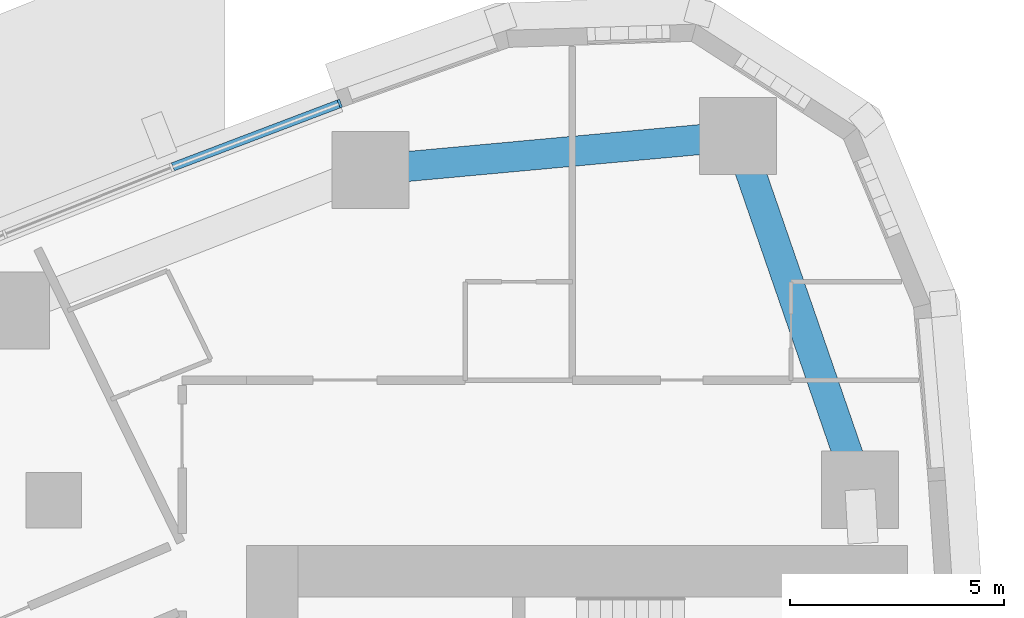
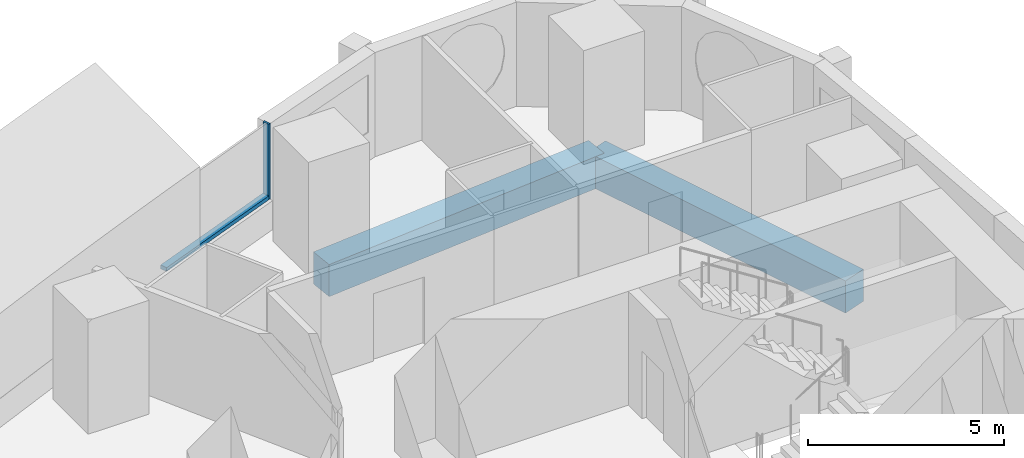
# One storey, part 7 of 19: 2 beams, 2 members, 1 element without a shape of its own.
"""IFC4 building model written with IfcOpenShell, lengths in metres."""

from ifc_helpers import new_model, si_unit, direction, frame, origin, origin_2d, place, context, subcontext, project, spatial, rectangle, extrude, material, layer, layer_set, material_profile, profile_set, type_object, element, aggregate, save


model = new_model("IFC4")

# Units and contexts
model_context = context("Model", 3, precision=1e-05, world=origin(), true_north=direction((0.0, 1.0)))
body_context = subcontext(model_context, "Body", "Model", "MODEL_VIEW")
ifc_project = project(units=[si_unit("LENGTHUNIT", "METRE"), si_unit("AREAUNIT", "SQUARE_METRE"), si_unit("VOLUMEUNIT", "CUBIC_METRE"), si_unit("PLANEANGLEUNIT", "RADIAN"), si_unit("MASSUNIT", "GRAM", prefix="KILO")], contexts=[model_context])

# Site, building, storey
site_placement = place(None, origin())
site = spatial("IfcSite", under=ifc_project, at=site_placement, CompositionType="ELEMENT")
building_placement = place(site_placement, origin())
building = spatial("IfcBuilding", under=site, at=building_placement, Name="Ostrand Prow Hotel Tower", CompositionType="ELEMENT")
storey_placement = place(building_placement, frame((0.0, 0.0, 53.800048828125)))
storey = spatial("IfcBuildingStorey", under=building, at=storey_placement, Name="L11", CompositionType="ELEMENT", Elevation=53.800048828125)

# Beams
ifc_material_1 = material(Name="Concrete C80/95", Category="concrete")
ifc_material_profile_1 = material_profile(ifc_material_1, rectangle(XDim=0.699951171875, YDim=1.0, at=origin_2d()), Name="RC 700x1000")
ifc_profile_set_1 = profile_set([ifc_material_profile_1], Name="Concrete C80/95")
beam_type = type_object("IfcBeamType", Name="Edge beam 700x1000 C80/95", PredefinedType="SPANDREL", material=ifc_profile_set_1)
beam_1_placement = place(storey_placement, frame((63.8134765625, 18.248779296875, -0.800048828125), z_axis=(-0.326263961413, 0.945278703602, 0.0), x_axis=(-0.945278703602, -0.326263961413, 0.0)))
element("IfcBeam", 1, at=beam_1_placement, inside=storey, type_object=beam_type, Name="Edge beam B5-NE", PredefinedType="SPANDREL", context=body_context, shape_type="SweptSolid", body=[
    extrude(rectangle(XDim=0.699951171875, YDim=1.0, at=origin_2d()), origin(), (0.0, 0.0, 1.0), 8.727294921875),
])
beam_2_placement = place(storey_placement, frame((60.966064453125, 26.49853515625, -0.800048828125), z_axis=(-0.995800189514, -0.091553167961, 0.0), x_axis=(0.091553167961, -0.995800189514, 0.0)))
element("IfcBeam", 2, at=beam_2_placement, inside=storey, type_object=beam_type, Name="Edge beam NE-N1", PredefinedType="SPANDREL", context=body_context, shape_type="SweptSolid", body=[
    extrude(rectangle(XDim=0.699951171875, YDim=1.0, at=origin_2d()), origin(), (0.0, 0.0, 1.0), 8.610595703125),
])

# Curtain wall, members
ifc_material_2 = material(Name="Insulated glass in bronze anodised frame", Category="glass")
ifc_layer = layer(ifc_material_2, 0.199951171875)
ifc_layer_set = layer_set([ifc_layer], Name="Insulated glass in bronze anodised frame")
curtain_wall_type = type_object("IfcCurtainWallType", Name="Strip curtain wall, fritted glass over bronze spandrel", PredefinedType="NOTDEFINED", material=ifc_layer_set)
curtain_wall_placement = place(storey_placement, origin())
curtain_wall = element("IfcCurtainWall", 3, at=curtain_wall_placement, inside=storey, type_object=curtain_wall_type, Name="CW1 run CWN1", PredefinedType="NOTDEFINED")
ifc_material_3 = material(Name="Bronze anodised aluminium", Category="aluminium")
ifc_material_profile_2 = material_profile(ifc_material_3, rectangle(XDim=0.199951171875, YDim=0.06005859375, at=origin_2d()), Name="Mullion 60x200 bronze anodised aluminium")
ifc_profile_set_2 = profile_set([ifc_material_profile_2], Name="Bronze anodised aluminium")
member_type_1 = type_object("IfcMemberType", Name="Mullion 60x200 bronze anodised aluminium", PredefinedType="MULLION", material=ifc_profile_set_2)
member_1_placement = place(storey_placement, frame((51.674560546875, 27.2578125, 0.89990234375), z_axis=(0.0, 0.0, 1.0), x_axis=(0.354728407072, -0.934969388384, 0.0)))
member_1 = element("IfcMember", 4, at=member_1_placement, type_object=member_type_1, Name="CW1 mullion 1", PredefinedType="MULLION", context=body_context, shape_type="SweptSolid", body=[
    extrude(rectangle(XDim=0.199951171875, YDim=0.06005859375, at=origin_2d()), origin(), (0.0, 0.0, 1.0), 2.35009765625),
])
ifc_material_4 = material(Name="Bronze anodised aluminium", Category="aluminium")
ifc_material_profile_3 = material_profile(ifc_material_4, rectangle(XDim=0.199951171875, YDim=0.1201171875, at=origin_2d()), Name="Transom 120x200 bronze anodised aluminium")
ifc_profile_set_3 = profile_set([ifc_material_profile_3], Name="Bronze anodised aluminium")
member_type_2 = type_object("IfcMemberType", Name="Transom 120x200 bronze anodised aluminium", PredefinedType="USERDEFINED", material=ifc_profile_set_3)
member_2_placement = place(storey_placement, frame((51.646484375, 27.2470703125, 0.9599609375), z_axis=(-0.93497051437, -0.354725439261, 0.0), x_axis=(0.354725439261, -0.93497051437, 0.0)))
member_2 = element("IfcMember", 5, at=member_2_placement, type_object=member_type_2, Name="CW1 transom 1.1", ObjectType="TRANSOM", PredefinedType="USERDEFINED", context=body_context, shape_type="SweptSolid", body=[
    extrude(rectangle(XDim=0.199951171875, YDim=0.1201171875, at=origin_2d()), origin(), (0.0, 0.0, 1.0), 4.13427734375),
])
aggregate(curtain_wall, [member_1, member_2])

save(model, "model.ifc")
